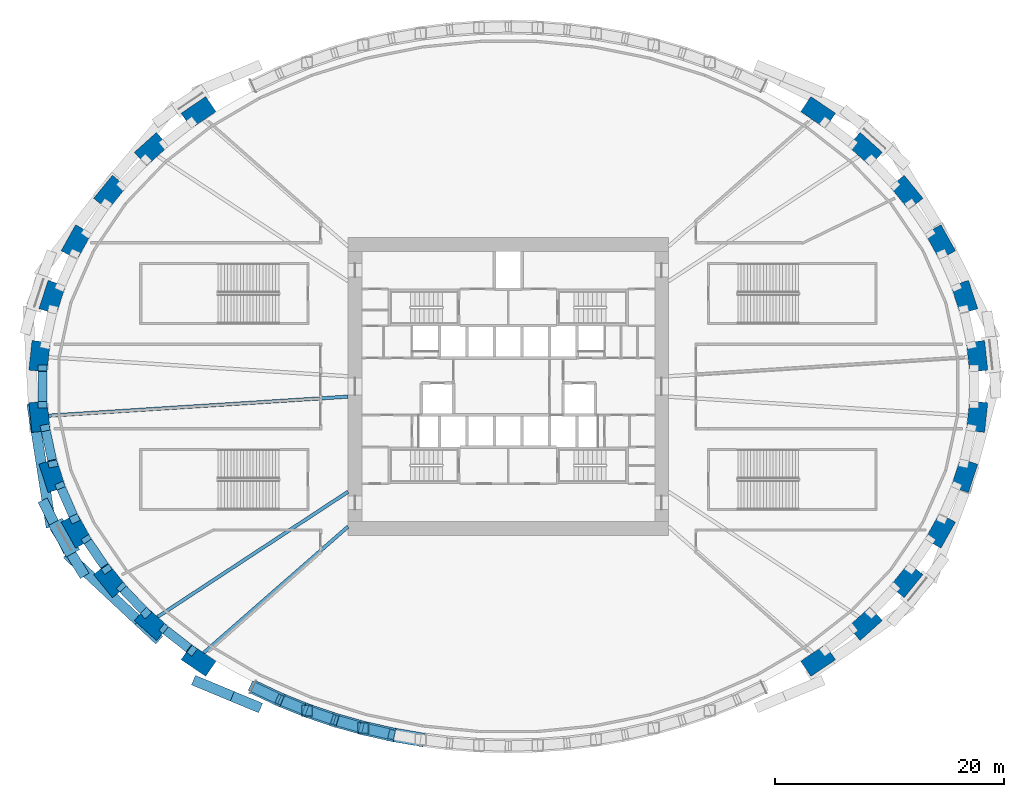
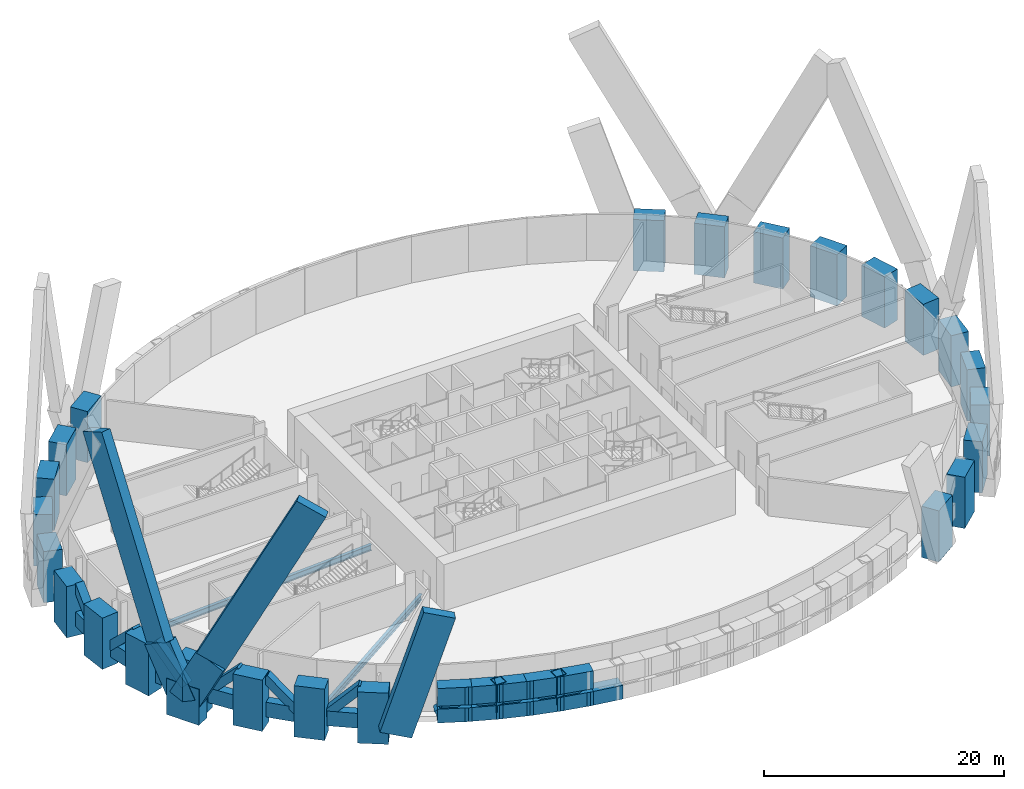
# One storey, part 1 of 16: 30 members, 24 columns, 9 beams.
"""IFC4 building model written with IfcOpenShell, lengths in metres."""

import ifcopenshell
import ifcopenshell.guid

model = None  # the IFC model being written
_history = None  # IfcOwnerHistory: only IFC2X3 demands one
_inside = {}  # id of a spatial element -> (the spatial element, [elements in it])
_under = {}  # id of a project, library or spatial element -> (it, [spatial elements below it])
_declared = {}  # id of a project -> (the project, [libraries it declares])
_typed = {}  # id of a type object -> (the type object, [elements of that type])
_made_of = {}  # id of a material, layer set ... -> (it, [elements and type objects made of it])


def new_model(schema):
    """Start an empty IFC model of exactly this schema.

    Asked for "IFC4X3", IfcOpenShell would pick the latest addendum, in which some entities
    have other attributes; the version numbers below select the first issue.
    IFC2X3 requires an IfcOwnerHistory on every rooted entity: one is made here for all.
    """
    global model, _history
    if schema == "IFC4X3":
        model = ifcopenshell.file(schema_version=(4, 3, 0, 0))
    else:
        model = ifcopenshell.file(schema=schema)
    _inside.clear()
    _under.clear()
    _declared.clear()
    _typed.clear()
    _made_of.clear()
    _history = None
    if model.schema == "IFC2X3":
        org = make("IfcOrganization", Name="unknown")
        user = make(
            "IfcPersonAndOrganization",
            ThePerson=make("IfcPerson", FamilyName="unknown"),
            TheOrganization=org,
        )
        app = make(
            "IfcApplication",
            ApplicationDeveloper=org,
            Version="unknown",
            ApplicationFullName="unknown",
            ApplicationIdentifier="unknown",
        )
        _history = make(
            "IfcOwnerHistory",
            OwningUser=user,
            OwningApplication=app,
            ChangeAction="ADDED",
            CreationDate=0,
        )
    return model


def make(cls, **values):
    """One entity of the class cls with the attributes given. An attribute that is None is left unset."""
    return model.create_entity(
        cls, **{name: value for name, value in values.items() if value is not None}
    )


def rooted(cls, **values):
    """An entity with a GlobalId (a new one), such as an element, a storey or a relation."""
    return make(cls, GlobalId=ifcopenshell.guid.new(), OwnerHistory=_history, **values)


def si_unit(unit_type, name, prefix=None):
    """IfcSIUnit, for example si_unit("LENGTHUNIT", "METRE", prefix="MILLI")."""
    return make("IfcSIUnit", UnitType=unit_type, Prefix=prefix, Name=name)


def assignment(units):
    """IfcUnitAssignment: the units of a project."""
    return None if units is None else make("IfcUnitAssignment", Units=units)


def point(xyz):
    """IfcCartesianPoint."""
    return None if xyz is None else make("IfcCartesianPoint", Coordinates=xyz)


def direction(xyz):
    """IfcDirection."""
    return None if xyz is None else make("IfcDirection", DirectionRatios=xyz)


def frame(location, z_axis=None, x_axis=None):
    """IfcAxis2Placement3D, a coordinate frame: its origin and axes. An axis left out is left unset."""
    return make(
        "IfcAxis2Placement3D",
        Location=point(location),
        Axis=direction(z_axis),
        RefDirection=direction(x_axis),
    )


def frame_2d(location, x_axis=None):
    """IfcAxis2Placement2D, a coordinate frame in the plane: its origin and x axis."""
    return make(
        "IfcAxis2Placement2D", Location=point(location), RefDirection=direction(x_axis)
    )


def origin():
    """The frame at (0, 0, 0) with its axes left unset."""
    return frame((0.0, 0.0, 0.0))


def origin_2d():
    """The frame at (0, 0) in the plane with its x axis left unset."""
    return frame_2d((0.0, 0.0))


def place(relative_to, where):
    """IfcLocalPlacement: puts the frame where relative to a parent placement (None: the world)."""
    return make(
        "IfcLocalPlacement", PlacementRelTo=relative_to, RelativePlacement=where
    )


def context(
    kind, dimensions, precision=None, world=None, true_north=None, identifier=None
):
    """IfcGeometricRepresentationContext, for example the 3D "Model" context."""
    return make(
        "IfcGeometricRepresentationContext",
        ContextIdentifier=identifier,
        ContextType=kind,
        CoordinateSpaceDimension=dimensions,
        Precision=precision,
        WorldCoordinateSystem=world,
        TrueNorth=true_north,
    )


def subcontext(parent, identifier, kind, view, scale=None):
    """IfcGeometricRepresentationSubContext, for example "Body" below "Model"."""
    return make(
        "IfcGeometricRepresentationSubContext",
        ContextIdentifier=identifier,
        ContextType=kind,
        ParentContext=parent,
        TargetScale=scale,
        TargetView=view,
    )


def project(units=None, contexts=None):
    """IfcProject with its units and contexts."""
    return rooted(
        "IfcProject",
        Name="project",
        RepresentationContexts=contexts,
        UnitsInContext=assignment(units),
    )


def spatial(cls, under=None, at=None, **own):
    """A site, building, storey or space (cls), placed at a placement, below another one or the project."""
    s = rooted(cls, ObjectPlacement=at, **own)
    if under is not None:
        _under.setdefault(under.id(), (under, []))[1].append(s)
    return s


def profile(cls, at=None, kind="AREA", **sizes):
    """A parametric profile (cls). Its sizes go by their IFC names, for example OverallWidth=200.0."""
    return make(cls, ProfileType=kind, Position=at, **sizes)


def rectangle(**sizes):
    """IfcRectangleProfileDef."""
    return profile("IfcRectangleProfileDef", **sizes)


def hollow_rectangle(**sizes):
    """IfcRectangleHollowProfileDef."""
    return profile("IfcRectangleHollowProfileDef", **sizes)


def i_section(**sizes):
    """IfcIShapeProfileDef."""
    return profile("IfcIShapeProfileDef", **sizes)


def extrude(swept, where, along, depth):
    """IfcExtrudedAreaSolid: the profile swept, set in the frame where, extruded along a direction by depth."""
    return make(
        "IfcExtrudedAreaSolid",
        SweptArea=swept,
        Position=where,
        ExtrudedDirection=direction(along),
        Depth=depth,
    )


def shape(context_of_items, identifier, shape_type, items):
    """IfcShapeRepresentation: the items that make up one representation, for example the "Body"."""
    return make(
        "IfcShapeRepresentation",
        ContextOfItems=context_of_items,
        RepresentationIdentifier=identifier,
        RepresentationType=shape_type,
        Items=items,
    )


def source(mapping_origin, context_of_items, identifier, shape_type, items):
    """IfcRepresentationMap: a shape defined once, which mapped items show again and again."""
    return make(
        "IfcRepresentationMap",
        MappingOrigin=mapping_origin,
        MappedRepresentation=shape(context_of_items, identifier, shape_type, items),
    )


def transform(
    local_origin,
    x_axis=None,
    y_axis=None,
    z_axis=None,
    scale=None,
    scale2=None,
    scale3=None,
    uniform=True,
):
    """IfcCartesianTransformationOperator3D, or its non-uniform kind. x_axis, y_axis, z_axis: its Axis1, 2, 3."""
    if uniform:
        return make(
            "IfcCartesianTransformationOperator3D",
            Axis1=direction(x_axis),
            Axis2=direction(y_axis),
            LocalOrigin=point(local_origin),
            Scale=scale,
            Axis3=direction(z_axis),
        )
    return make(
        "IfcCartesianTransformationOperator3DnonUniform",
        Axis1=direction(x_axis),
        Axis2=direction(y_axis),
        LocalOrigin=point(local_origin),
        Scale=scale,
        Axis3=direction(z_axis),
        Scale2=scale2,
        Scale3=scale3,
    )


def mapped(mapping_source, mapping_target):
    """IfcMappedItem: shows the shape of a source again, moved by a transform."""
    return make(
        "IfcMappedItem", MappingSource=mapping_source, MappingTarget=mapping_target
    )


def material(Name=None, Category=None):
    """IfcMaterial."""
    return make("IfcMaterial", Name=Name, Category=Category)


def material_profile(
    of_material, cross_section, Name=None, Category=None, Priority=None
):
    """IfcMaterialProfile: a cross section and its material."""
    return make(
        "IfcMaterialProfile",
        Name=Name,
        Material=of_material,
        Profile=cross_section,
        Priority=Priority,
        Category=Category,
    )


def profile_set(profiles, Name=None, composite=None):
    """IfcMaterialProfileSet."""
    return make(
        "IfcMaterialProfileSet",
        Name=Name,
        MaterialProfiles=profiles,
        CompositeProfile=composite,
    )


def made_of(thing, what):
    """Note that an element or type object is made of a material, layer set ...; save() writes the relation."""
    if what is not None:
        _made_of.setdefault(what.id(), (what, []))[1].append(thing)
    return thing


def type_object(cls, material=None, **own):
    """A type object (cls), such as IfcWallType, which elements share."""
    return made_of(rooted(cls, **own), material)


def element(
    cls,
    number,
    at=None,
    inside=None,
    cuts=None,
    type_object=None,
    material=None,
    context=None,
    identifier="Body",
    shape_type=None,
    held_by="IfcProductDefinitionShape",
    body=None,
    shapes=None,
    **own,
):
    """One element of the class cls, such as IfcWall. Its Tag is "e" and its number.

    at: its placement. inside: the storey or other place that contains it. cuts: it is an
    opening in that element (IfcRelVoidsElement). A single representation is given by context,
    identifier, shape_type and body (its items); several are given by shapes. held_by: the class
    of the entity that holds the representations. save() writes the other relations.
    """
    e = rooted(cls, Tag="e%d" % number, ObjectPlacement=at, **own)
    if body is not None:
        shapes = [shape(context, identifier, shape_type, body)]
    if shapes is not None:
        e.Representation = make(held_by, Representations=shapes)
    if inside is not None:
        _inside.setdefault(inside.id(), (inside, []))[1].append(e)
    if cuts is not None:
        rooted(
            "IfcRelVoidsElement", RelatingBuildingElement=cuts, RelatedOpeningElement=e
        )
    if type_object is not None:
        _typed.setdefault(type_object.id(), (type_object, []))[1].append(e)
    return made_of(e, material)


def aggregate(whole, parts):
    """IfcRelAggregates: a whole, such as a stair, and the parts it consists of."""
    return rooted("IfcRelAggregates", RelatingObject=whole, RelatedObjects=parts)


def save(model, path):
    """Write the relations noted so far, then the file.

    IfcRelAggregates (storeys below a building ...), IfcRelContainedInSpatialStructure (elements
    in a storey), IfcRelDefinesByType, IfcRelAssociatesMaterial and IfcRelDeclares: one each for
    every whole, place, type object, material and project.
    """
    for whole, parts in _under.values():
        aggregate(whole, parts)
    for where, things in _inside.values():
        rooted(
            "IfcRelContainedInSpatialStructure",
            RelatedElements=things,
            RelatingStructure=where,
        )
    for kind, things in _typed.values():
        rooted("IfcRelDefinesByType", RelatedObjects=things, RelatingType=kind)
    for what, things in _made_of.values():
        rooted("IfcRelAssociatesMaterial", RelatedObjects=things, RelatingMaterial=what)
    for by, libraries in _declared.values():
        rooted("IfcRelDeclares", RelatingContext=by, RelatedDefinitions=libraries)
    model.write(path)


model = new_model("IFC4")

# Units and contexts
model_context = context("Model", 3, precision=1e-05, world=origin(), true_north=direction((0.0, 1.0)))
body_context = subcontext(model_context, "Body", "Model", "MODEL_VIEW")
ifc_project = project(units=[si_unit("LENGTHUNIT", "METRE"), si_unit("AREAUNIT", "SQUARE_METRE"), si_unit("VOLUMEUNIT", "CUBIC_METRE"), si_unit("PLANEANGLEUNIT", "RADIAN"), si_unit("MASSUNIT", "GRAM", prefix="KILO")], contexts=[model_context])

# Site, building, storey
site_placement = place(None, origin())
site = spatial("IfcSite", under=ifc_project, at=site_placement, CompositionType="ELEMENT")
building_placement = place(site_placement, origin())
building = spatial("IfcBuilding", under=site, at=building_placement, Name="Embergate Tower", CompositionType="ELEMENT")
storey_placement = place(building_placement, frame((0.0, 0.0, 24.0)))
storey = spatial("IfcBuildingStorey", under=building, at=storey_placement, Name="L02", CompositionType="ELEMENT", Elevation=24.0)

# Columns
ifc_material_1 = material(Name="Concrete C70", Category="concrete")
ifc_material_profile_1 = material_profile(ifc_material_1, rectangle(XDim=1.60009765625, YDim=2.60009765625, at=origin_2d()), Name="RC 1600x2600")
ifc_profile_set_1 = profile_set([ifc_material_profile_1], Name="Concrete C70")
column_type = type_object("IfcColumnType", Name="Ring column RC 1600x2600 C70", PredefinedType="COLUMN", material=ifc_profile_set_1)
shared_shape_1 = source(origin(), body_context, "Body", "SweptSolid", [
    extrude(rectangle(XDim=1.60009765625, YDim=2.60009765625, at=origin_2d()), origin(), (0.0, 0.0, 1.0), 5.199951171875),
])
for number, where, z_axis, x_axis, name in (
    (1, (40.958984375, 2.636962890625, -1.699951171875), (0.0, 0.0, 1.0), (0.99428589498, 0.106749983816, 0.0), "COL-L02-00"),
    (2, (39.85009765625, 7.7880859375, -1.699951171875), (0.0, 0.0, 1.0), (0.950754033697, 0.309946394413, 0.0), "COL-L02-01"),
    (3, (37.738037109375, 12.60498046875, -1.699951171875), (0.0, 0.0, 1.0), (0.873491969053, 0.486838556403, 0.0), "COL-L02-02"),
    (4, (34.7890625, 16.94189453125, -1.699951171875), (0.0, 0.0, 1.0), (0.775925311702, 0.630824786022, 0.0), "COL-L02-03"),
    (5, (31.178955078125, 20.72802734375, -1.699951171875), (0.0, 0.0, 1.0), (0.669208424634, 0.74307475021, 0.0), "COL-L02-04"),
    (6, (27.06494140625, 23.93896484375, -1.699951171875), (0.0, 0.0, 1.0), (0.560393279442, 0.828226643109, 0.0), "COL-L02-05"),
    (7, (-27.06494140625, 23.93896484375, -1.699951171875), (0.0, 0.0, 1.0), (-0.560393279442, 0.828226643109, 0.0), "COL-L02-16"),
    (8, (-31.178955078125, 20.72802734375, -1.699951171875), (0.0, 0.0, 1.0), (-0.669208424634, 0.74307475021, 0.0), "COL-L02-17"),
    (9, (-34.7890625, 16.94189453125, -1.699951171875), (0.0, 0.0, 1.0), (-0.775925311702, 0.630824786022, 0.0), "COL-L02-18"),
    (10, (-37.738037109375, 12.60498046875, -1.699951171875), (0.0, 0.0, 1.0), (-0.873491969053, 0.486838556403, 0.0), "COL-L02-19"),
    (11, (-39.85009765625, 7.7880859375, -1.699951171875), (0.0, 0.0, 1.0), (-0.950754033697, 0.309946394413, 0.0), "COL-L02-20"),
    (12, (-40.958984375, 2.636962890625, -1.699951171875), (0.0, 0.0, 1.0), (-0.99428589498, 0.106749983816, 0.0), "COL-L02-21"),
    (13, (-40.958984375, -2.636962890625, -1.699951171875), (0.0, 0.0, 1.0), (-0.99428589498, -0.106749983816, 0.0), "COL-L02-22"),
    (14, (-39.85009765625, -7.7880859375, -1.699951171875), (0.0, 0.0, 1.0), (-0.950754033697, -0.309946394413, 0.0), "COL-L02-23"),
    (15, (-37.738037109375, -12.60498046875, -1.699951171875), (0.0, 0.0, 1.0), (-0.873491969053, -0.486838556403, 0.0), "COL-L02-24"),
    (16, (-34.7890625, -16.94189453125, -1.699951171875), (0.0, 0.0, 1.0), (-0.775925311702, -0.630824786022, 0.0), "COL-L02-25"),
    (17, (-31.178955078125, -20.72802734375, -1.699951171875), (0.0, 0.0, 1.0), (-0.669208424634, -0.74307475021, 0.0), "COL-L02-26"),
    (18, (-27.06494140625, -23.93896484375, -1.699951171875), (0.0, 0.0, 1.0), (-0.560393279442, -0.828226643109, 0.0), "COL-L02-27"),
    (19, (27.06494140625, -23.93896484375, -1.699951171875), (0.0, 0.0, 1.0), (0.560393279442, -0.828226643109, 0.0), "COL-L02-38"),
    (20, (31.178955078125, -20.72802734375, -1.699951171875), (0.0, 0.0, 1.0), (0.669208424634, -0.74307475021, 0.0), "COL-L02-39"),
    (21, (34.7890625, -16.94189453125, -1.699951171875), (0.0, 0.0, 1.0), (0.775925311702, -0.630824786022, 0.0), "COL-L02-40"),
    (22, (37.738037109375, -12.60498046875, -1.699951171875), (0.0, 0.0, 1.0), (0.873491969053, -0.486838556403, 0.0), "COL-L02-41"),
    (23, (39.85009765625, -7.7880859375, -1.699951171875), (0.0, 0.0, 1.0), (0.950754033697, -0.309946394413, 0.0), "COL-L02-42"),
    (24, (40.958984375, -2.636962890625, -1.699951171875), (0.0, 0.0, 1.0), (0.99428589498, -0.106749983816, 0.0), "COL-L02-43"),
):
    element("IfcColumn", number, at=place(storey_placement, frame(where, z_axis=z_axis, x_axis=x_axis)), inside=storey, type_object=column_type, Name=name, PredefinedType="COLUMN", context=body_context, shape_type="MappedRepresentation", body=[
        mapped(shared_shape_1, transform((0.0, 0.0, 0.0))),
    ])

# Beams
ifc_material_profile_2 = material_profile(ifc_material_1, rectangle(XDim=0.800048828125, YDim=1.5, at=origin_2d()), Name="RC 800x1500")
ifc_profile_set_2 = profile_set([ifc_material_profile_2], Name="Concrete C70")
beam_type_1 = type_object("IfcBeamType", Name="Spandrel beam RC 800x1500 C70", PredefinedType="BEAM", material=ifc_profile_set_2)
shared_shape_2 = source(origin(), body_context, "Body", "SweptSolid", [
    extrude(rectangle(XDim=0.800048828125, YDim=1.5, at=origin_2d()), origin(), (0.0, 0.0, 1.0), 2.59716796875),
])
beam_1_placement = place(storey_placement, frame((-40.407958984375, -3.885009765625, 0.0), z_axis=(0.210196709523, -0.977659114061, 0.0), x_axis=(0.977659114061, 0.210196709523, 0.0)))
element("IfcBeam", 25, at=beam_1_placement, inside=storey, type_object=beam_type_1, Name="SPN-L02-22", PredefinedType="BEAM", context=body_context, shape_type="MappedRepresentation", body=[
    mapped(shared_shape_2, transform((0.0, 0.0, 0.0))),
])
shared_shape_3 = source(origin(), body_context, "Body", "SweptSolid", [
    extrude(rectangle(XDim=0.800048828125, YDim=1.5, at=origin_2d()), origin(), (0.0, 0.0, 1.0), 2.594482421875),
])
beam_2_placement = place(storey_placement, frame((-39.06201171875, -8.89794921875, 0.0), z_axis=(0.401628265127, -0.915802782618, 0.0), x_axis=(0.915802782618, 0.401628265127, 0.0)))
element("IfcBeam", 26, at=beam_2_placement, inside=storey, type_object=beam_type_1, Name="SPN-L02-23", PredefinedType="BEAM", context=body_context, shape_type="MappedRepresentation", body=[
    mapped(shared_shape_3, transform((0.0, 0.0, 0.0))),
])
shared_shape_4 = source(origin(), body_context, "Body", "SweptSolid", [
    extrude(rectangle(XDim=0.800048828125, YDim=1.5, at=origin_2d()), origin(), (0.0, 0.0, 1.0), 2.583251953125),
])
beam_3_placement = place(storey_placement, frame((-36.743896484375, -13.5390625, 0.0), z_axis=(0.562418587306, -0.826852666836, 0.0), x_axis=(0.826852666836, 0.562418587306, 0.0)))
element("IfcBeam", 27, at=beam_3_placement, inside=storey, type_object=beam_type_1, Name="SPN-L02-24", PredefinedType="BEAM", context=body_context, shape_type="MappedRepresentation", body=[
    mapped(shared_shape_4, transform((0.0, 0.0, 0.0))),
])
shared_shape_5 = source(origin(), body_context, "Body", "SweptSolid", [
    extrude(rectangle(XDim=0.800048828125, YDim=1.5, at=origin_2d()), origin(), (0.0, 0.0, 1.0), 2.577392578125),
])
beam_4_placement = place(storey_placement, frame((-33.656982421875, -17.697021484375, 0.0), z_axis=(0.68985145899, -0.723950940692, 0.0), x_axis=(0.723950940692, 0.68985145899, 0.0)))
element("IfcBeam", 28, at=beam_4_placement, inside=storey, type_object=beam_type_1, Name="SPN-L02-25", PredefinedType="BEAM", context=body_context, shape_type="MappedRepresentation", body=[
    mapped(shared_shape_5, transform((0.0, 0.0, 0.0))),
])
shared_shape_6 = source(origin(), body_context, "Body", "SweptSolid", [
    extrude(rectangle(XDim=0.800048828125, YDim=1.5, at=origin_2d()), origin(), (0.0, 0.0, 1.0), 2.568359375),
])
beam_5_placement = place(storey_placement, frame((-29.93798828125, -21.29296875, 0.0), z_axis=(0.788378750505, -0.615190170396, 0.0), x_axis=(0.615190170396, 0.788378750505, 0.0)))
element("IfcBeam", 29, at=beam_5_placement, inside=storey, type_object=beam_type_1, Name="SPN-L02-26", PredefinedType="BEAM", context=body_context, shape_type="MappedRepresentation", body=[
    mapped(shared_shape_6, transform((0.0, 0.0, 0.0))),
])
shared_shape_7 = source(origin(), body_context, "Body", "SweptSolid", [
    extrude(rectangle(XDim=0.800048828125, YDim=1.5, at=origin_2d()), origin(), (0.0, 0.0, 1.0), 2.60400390625),
])
beam_6_placement = place(storey_placement, frame((-40.7041015625, 1.302001953125, 0.0), z_axis=(0.0, -1.0, 0.0), x_axis=(1.0, 0.0, 0.0)))
element("IfcBeam", 30, at=beam_6_placement, inside=storey, type_object=beam_type_1, Name="SPN-L02-21", PredefinedType="BEAM", context=body_context, shape_type="MappedRepresentation", body=[
    mapped(shared_shape_7, transform((0.0, 0.0, 0.0))),
])
ifc_material_2 = material(Name="Steel Q355B", Category="steel")
ifc_material_profile_3 = material_profile(ifc_material_2, i_section(OverallWidth=0.300048828125, OverallDepth=0.587890625, WebThickness=0.011962890625, FlangeThickness=0.02001953125, FilletRadius=0.012939453125, at=origin_2d()), Name="HM 588x300x12x20")
ifc_profile_set_3 = profile_set([ifc_material_profile_3], Name="Steel Q355 grade B")
beam_type_2 = type_object("IfcBeamType", Name="Plant girder HM 588x300x12x20", PredefinedType="BEAM", material=ifc_profile_set_3)
shared_shape_8 = source(origin(), body_context, "Body", "SweptSolid", [
    extrude(i_section(OverallWidth=0.300048828125, OverallDepth=0.587890625, WebThickness=0.011962890625, FlangeThickness=0.02001953125, FilletRadius=0.012939453125, at=origin_2d()), origin(), (0.0, 0.0, 1.0), 26.216796875),
])
beam_7_placement = place(storey_placement, frame((-40.1640625, -2.552001953125, -0.7939453125), z_axis=(0.997985925942, 0.063435728273, 0.0), x_axis=(-0.063435728273, 0.997985925942, 0.0)))
element("IfcBeam", 31, at=beam_7_placement, inside=storey, type_object=beam_type_2, Name="GIR-L02-22", PredefinedType="BEAM", context=body_context, shape_type="MappedRepresentation", body=[
    mapped(shared_shape_8, transform((0.0, 0.0, 0.0))),
])
shared_shape_9 = source(origin(), body_context, "Body", "SweptSolid", [
    extrude(i_section(OverallWidth=0.300048828125, OverallDepth=0.587890625, WebThickness=0.011962890625, FlangeThickness=0.02001953125, FilletRadius=0.012939453125, at=origin_2d()), origin(), (0.0, 0.0, 1.0), 19.915283203125),
])
beam_8_placement = place(storey_placement, frame((-30.64404296875, -20.134033203125, -0.7939453125), z_axis=(0.835739557049, 0.549126026322, 0.0), x_axis=(-0.549126026322, 0.835739557049, 0.0)))
element("IfcBeam", 32, at=beam_8_placement, inside=storey, type_object=beam_type_2, Name="GIR-L02-26", PredefinedType="BEAM", context=body_context, shape_type="MappedRepresentation", body=[
    mapped(shared_shape_9, transform((0.0, 0.0, 0.0))),
])
ifc_material_profile_4 = material_profile(ifc_material_2, i_section(OverallWidth=0.300048828125, OverallDepth=0.89990234375, WebThickness=0.01611328125, FlangeThickness=0.028076171875, FilletRadius=0.028076171875, at=origin_2d()), Name="HN 900x300x16x28")
ifc_profile_set_4 = profile_set([ifc_material_profile_4], Name="Steel Q355 grade B")
beam_type_3 = type_object("IfcBeamType", Name="Plant girder HN 900x300x16x28", PredefinedType="BEAM", material=ifc_profile_set_4)
shared_shape_10 = source(origin(), body_context, "Body", "SweptSolid", [
    extrude(i_section(OverallWidth=0.300048828125, OverallDepth=0.89990234375, WebThickness=0.01611328125, FlangeThickness=0.028076171875, FilletRadius=0.028076171875, at=origin_2d()), origin(), (0.0, 0.0, 1.0), 16.760498046875),
])
beam_9_placement = place(storey_placement, frame((-26.616943359375, -23.27587890625, -0.949951171875), z_axis=(0.752779686922, 0.658272544587, 0.0), x_axis=(-0.658272544587, 0.752779686922, 0.0)))
element("IfcBeam", 33, at=beam_9_placement, inside=storey, type_object=beam_type_3, Name="GIR-L02-27", PredefinedType="BEAM", context=body_context, shape_type="MappedRepresentation", body=[
    mapped(shared_shape_10, transform((0.0, 0.0, 0.0))),
])

# Members
ifc_material_3 = material(Name="Steel Q420GJD-Z25", Category="steel")
ifc_material_profile_5 = material_profile(ifc_material_3, hollow_rectangle(XDim=1.199951171875, YDim=1.39990234375, WallThickness=0.080078125, at=origin_2d()), Name="BOX 1400x1200x80")
ifc_profile_set_5 = profile_set([ifc_material_profile_5], Name="Steel Q420 grade GJD-Z25")
member_type_1 = type_object("IfcMemberType", Name="Transfer truss bottom chord BOX 1400x1200x80", PredefinedType="CHORD", material=ifc_profile_set_5)
shared_shape_11 = source(origin(), body_context, "Body", "SweptSolid", [
    extrude(hollow_rectangle(XDim=1.199951171875, YDim=1.39990234375, WallThickness=0.080078125, at=origin_2d()), origin(), (0.0, 0.0, 1.0), 2.85400390625),
])
member_1_placement = place(storey_placement, frame((-22.297119140625, -26.256103515625, 0.699951171875), z_axis=(0.904358715967, -0.426773139799, 0.0), x_axis=(0.426773139799, 0.904358715967, 0.0)))
element("IfcMember", 34, at=member_1_placement, inside=storey, type_object=member_type_1, Name="TRF-S-BC00", PredefinedType="CHORD", context=body_context, shape_type="MappedRepresentation", body=[
    mapped(shared_shape_11, transform((0.0, 0.0, 0.0))),
])
ifc_material_profile_6 = material_profile(ifc_material_3, hollow_rectangle(XDim=1.199951171875, YDim=1.800048828125, WallThickness=0.090087890625, at=origin_2d()), Name="BOX 1800x1200x90")
ifc_profile_set_6 = profile_set([ifc_material_profile_6], Name="Steel Q420 grade GJD-Z25")
member_type_2 = type_object("IfcMemberType", Name="Transfer truss top chord BOX 1800x1200x90", PredefinedType="CHORD", material=ifc_profile_set_6)
shared_shape_12 = source(origin(), body_context, "Body", "SweptSolid", [
    extrude(hollow_rectangle(XDim=1.199951171875, YDim=1.800048828125, WallThickness=0.090087890625, at=origin_2d()), origin(), (0.0, 0.0, 1.0), 2.85400390625),
])
member_2_placement = place(storey_placement, frame((-22.297119140625, -26.256103515625, 2.60009765625), z_axis=(0.904358715967, -0.426773139799, 0.0), x_axis=(0.426773139799, 0.904358715967, 0.0)))
element("IfcMember", 35, at=member_2_placement, inside=storey, type_object=member_type_2, Name="TRF-S-TC00", PredefinedType="CHORD", context=body_context, shape_type="MappedRepresentation", body=[
    mapped(shared_shape_12, transform((0.0, 0.0, 0.0))),
])
shared_shape_13 = source(origin(), body_context, "Body", "SweptSolid", [
    extrude(hollow_rectangle(XDim=1.199951171875, YDim=1.39990234375, WallThickness=0.080078125, at=origin_2d()), origin(), (0.0, 0.0, 1.0), 3.184814453125),
])
member_3_placement = place(storey_placement, frame((-20.264892578125, -27.23388671875, 0.699951171875), z_axis=(0.927175792195, -0.374626547868, 0.0), x_axis=(0.374626547868, 0.927175792195, 0.0)))
element("IfcMember", 36, at=member_3_placement, inside=storey, type_object=member_type_1, Name="TRF-S-BC01", PredefinedType="CHORD", context=body_context, shape_type="MappedRepresentation", body=[
    mapped(shared_shape_13, transform((0.0, 0.0, 0.0))),
])
shared_shape_14 = source(origin(), body_context, "Body", "SweptSolid", [
    extrude(hollow_rectangle(XDim=1.199951171875, YDim=1.800048828125, WallThickness=0.090087890625, at=origin_2d()), origin(), (0.0, 0.0, 1.0), 3.184814453125),
])
member_4_placement = place(storey_placement, frame((-20.264892578125, -27.23388671875, 2.60009765625), z_axis=(0.927175792195, -0.374626547868, 0.0), x_axis=(0.374626547868, 0.927175792195, 0.0)))
element("IfcMember", 37, at=member_4_placement, inside=storey, type_object=member_type_2, Name="TRF-S-TC01", PredefinedType="CHORD", context=body_context, shape_type="MappedRepresentation", body=[
    mapped(shared_shape_14, transform((0.0, 0.0, 0.0))),
])
shared_shape_15 = source(origin(), body_context, "Body", "SweptSolid", [
    extrude(hollow_rectangle(XDim=1.199951171875, YDim=1.39990234375, WallThickness=0.080078125, at=origin_2d()), origin(), (0.0, 0.0, 1.0), 3.15478515625),
])
member_5_placement = place(storey_placement, frame((-17.8740234375, -28.218017578125, 0.699951171875), z_axis=(0.946502130623, -0.322697562317, 0.0), x_axis=(0.322697562317, 0.946502130623, 0.0)))
element("IfcMember", 38, at=member_5_placement, inside=storey, type_object=member_type_1, Name="TRF-S-BC02", PredefinedType="CHORD", context=body_context, shape_type="MappedRepresentation", body=[
    mapped(shared_shape_15, transform((0.0, 0.0, 0.0))),
])
shared_shape_16 = source(origin(), body_context, "Body", "SweptSolid", [
    extrude(hollow_rectangle(XDim=1.199951171875, YDim=1.800048828125, WallThickness=0.090087890625, at=origin_2d()), origin(), (0.0, 0.0, 1.0), 3.15478515625),
])
member_6_placement = place(storey_placement, frame((-17.8740234375, -28.218017578125, 2.60009765625), z_axis=(0.946502130623, -0.322697562317, 0.0), x_axis=(0.322697562317, 0.946502130623, 0.0)))
element("IfcMember", 39, at=member_6_placement, inside=storey, type_object=member_type_2, Name="TRF-S-TC02", PredefinedType="CHORD", context=body_context, shape_type="MappedRepresentation", body=[
    mapped(shared_shape_16, transform((0.0, 0.0, 0.0))),
])
shared_shape_17 = source(origin(), body_context, "Body", "SweptSolid", [
    extrude(hollow_rectangle(XDim=1.199951171875, YDim=1.39990234375, WallThickness=0.080078125, at=origin_2d()), origin(), (0.0, 0.0, 1.0), 3.17919921875),
])
member_7_placement = place(storey_placement, frame((-15.4609375, -29.056884765625, 0.699951171875), z_axis=(0.962164650456, -0.272468687032, 0.0), x_axis=(0.272468687032, 0.962164650456, 0.0)))
element("IfcMember", 40, at=member_7_placement, inside=storey, type_object=member_type_1, Name="TRF-S-BC03", PredefinedType="CHORD", context=body_context, shape_type="MappedRepresentation", body=[
    mapped(shared_shape_17, transform((0.0, 0.0, 0.0))),
])
shared_shape_18 = source(origin(), body_context, "Body", "SweptSolid", [
    extrude(hollow_rectangle(XDim=1.199951171875, YDim=1.800048828125, WallThickness=0.090087890625, at=origin_2d()), origin(), (0.0, 0.0, 1.0), 3.17919921875),
])
member_8_placement = place(storey_placement, frame((-15.4609375, -29.056884765625, 2.60009765625), z_axis=(0.962164650456, -0.272468687032, 0.0), x_axis=(0.272468687032, 0.962164650456, 0.0)))
element("IfcMember", 41, at=member_8_placement, inside=storey, type_object=member_type_2, Name="TRF-S-TC03", PredefinedType="CHORD", context=body_context, shape_type="MappedRepresentation", body=[
    mapped(shared_shape_18, transform((0.0, 0.0, 0.0))),
])
shared_shape_19 = source(origin(), body_context, "Body", "SweptSolid", [
    extrude(hollow_rectangle(XDim=1.199951171875, YDim=1.39990234375, WallThickness=0.080078125, at=origin_2d()), origin(), (0.0, 0.0, 1.0), 3.156982421875),
])
member_9_placement = place(storey_placement, frame((-12.98388671875, -29.77490234375, 0.699951171875), z_axis=(0.975251981283, -0.221096298033, 0.0), x_axis=(0.221096298033, 0.975251981283, 0.0)))
element("IfcMember", 42, at=member_9_placement, inside=storey, type_object=member_type_1, Name="TRF-S-BC04", PredefinedType="CHORD", context=body_context, shape_type="MappedRepresentation", body=[
    mapped(shared_shape_19, transform((0.0, 0.0, 0.0))),
])
shared_shape_20 = source(origin(), body_context, "Body", "SweptSolid", [
    extrude(hollow_rectangle(XDim=1.199951171875, YDim=1.800048828125, WallThickness=0.090087890625, at=origin_2d()), origin(), (0.0, 0.0, 1.0), 3.156982421875),
])
member_10_placement = place(storey_placement, frame((-12.98388671875, -29.77490234375, 2.60009765625), z_axis=(0.975251981283, -0.221096298033, 0.0), x_axis=(0.221096298033, 0.975251981283, 0.0)))
element("IfcMember", 43, at=member_10_placement, inside=storey, type_object=member_type_2, Name="TRF-S-TC04", PredefinedType="CHORD", context=body_context, shape_type="MappedRepresentation", body=[
    mapped(shared_shape_20, transform((0.0, 0.0, 0.0))),
])
shared_shape_21 = source(origin(), body_context, "Body", "SweptSolid", [
    extrude(hollow_rectangle(XDim=1.199951171875, YDim=1.39990234375, WallThickness=0.080078125, at=origin_2d()), origin(), (0.0, 0.0, 1.0), 3.17431640625),
])
member_11_placement = place(storey_placement, frame((-10.493896484375, -30.35498046875, 0.699951171875), z_axis=(0.985100907682, -0.17197732898, 0.0), x_axis=(0.17197732898, 0.985100907682, 0.0)))
element("IfcMember", 44, at=member_11_placement, inside=storey, type_object=member_type_1, Name="TRF-S-BC05", PredefinedType="CHORD", context=body_context, shape_type="MappedRepresentation", body=[
    mapped(shared_shape_21, transform((0.0, 0.0, 0.0))),
])
ifc_material_4 = material(Name="Steel Q355D", Category="steel")
ifc_material_profile_7 = material_profile(ifc_material_4, hollow_rectangle(XDim=1.0, YDim=1.0, WallThickness=0.06005859375, at=origin_2d()), Name="BOX 1000x1000x60")
ifc_profile_set_7 = profile_set([ifc_material_profile_7], Name="Steel Q355 grade D")
member_type_3 = type_object("IfcMemberType", Name="Transfer truss post BOX 1000x1000x60", PredefinedType="POST", material=ifc_profile_set_7)
shared_shape_22 = source(origin(), body_context, "Body", "SweptSolid", [
    extrude(hollow_rectangle(XDim=1.0, YDim=1.0, WallThickness=0.06005859375, at=origin_2d()), origin(), (0.0, 0.0, 1.0), 2.800048828125),
])
for number, where, z_axis, x_axis, name in (
    (45, (-17.590087890625, -28.31494140625, 0.699951171875), (0.0, 0.0, 1.0), (1.0, 0.0, 0.0), "TRF-S-PO02"),
    (46, (-12.69091796875, -29.841064453125, 0.699951171875), (0.0, 0.0, 1.0), (1.0, 0.0, 0.0), "TRF-S-PO04"),
):
    element("IfcMember", number, at=place(storey_placement, frame(where, z_axis=z_axis, x_axis=x_axis)), inside=storey, type_object=member_type_3, Name=name, PredefinedType="POST", context=body_context, shape_type="MappedRepresentation", body=[
        mapped(shared_shape_22, transform((0.0, 0.0, 0.0))),
    ])
ifc_material_profile_8 = material_profile(ifc_material_4, hollow_rectangle(XDim=0.89990234375, YDim=0.89990234375, WallThickness=0.050048828125, at=origin_2d()), Name="BOX 900x900x50")
ifc_profile_set_8 = profile_set([ifc_material_profile_8], Name="Steel Q355 grade D")
member_type_4 = type_object("IfcMemberType", Name="Transfer truss diagonal BOX 900x900x50", PredefinedType="BRACE", material=ifc_profile_set_8)
shared_shape_23 = source(origin(), body_context, "Body", "SweptSolid", [
    extrude(hollow_rectangle(XDim=0.89990234375, YDim=0.89990234375, WallThickness=0.050048828125, at=origin_2d()), origin(), (0.0, 0.0, 1.0), 3.18359375),
])
member_12_placement = place(storey_placement, frame((-22.297119140625, -26.256103515625, 0.699951171875), z_axis=(0.725634345581, -0.342341124358, 0.596872977347), x_axis=(0.4266806336, 0.904402364499, 0.0)))
element("IfcMember", 47, at=member_12_placement, inside=storey, type_object=member_type_4, Name="TRF-S-DG00", PredefinedType="BRACE", context=body_context, shape_type="MappedRepresentation", body=[
    mapped(shared_shape_23, transform((0.0, 0.0, 0.0))),
])
shared_shape_24 = source(origin(), body_context, "Body", "SweptSolid", [
    extrude(hollow_rectangle(XDim=0.89990234375, YDim=0.89990234375, WallThickness=0.050048828125, at=origin_2d()), origin(), (0.0, 0.0, 1.0), 3.20849609375),
])
member_13_placement = place(storey_placement, frame((-19.987060546875, -27.345947265625, 2.60009765625), z_axis=(0.747050975398, -0.302000949415, -0.592207959006), x_axis=(0.374790902419, 0.927109367585, 0.0)))
element("IfcMember", 48, at=member_13_placement, inside=storey, type_object=member_type_4, Name="TRF-S-DG01", PredefinedType="BRACE", context=body_context, shape_type="MappedRepresentation", body=[
    mapped(shared_shape_24, transform((0.0, 0.0, 0.0))),
])
shared_shape_25 = source(origin(), body_context, "Body", "SweptSolid", [
    extrude(hollow_rectangle(XDim=0.89990234375, YDim=0.89990234375, WallThickness=0.050048828125, at=origin_2d()), origin(), (0.0, 0.0, 1.0), 3.183837890625),
])
member_14_placement = place(storey_placement, frame((-17.590087890625, -28.31494140625, 0.699951171875), z_axis=(0.759479434261, -0.258808874256, 0.596832435062), x_axis=(0.322557168561, 0.946549984422, 0.0)))
element("IfcMember", 49, at=member_14_placement, inside=storey, type_object=member_type_4, Name="TRF-S-DG02", PredefinedType="BRACE", context=body_context, shape_type="MappedRepresentation", body=[
    mapped(shared_shape_25, transform((0.0, 0.0, 0.0))),
])
shared_shape_26 = source(origin(), body_context, "Body", "SweptSolid", [
    extrude(hollow_rectangle(XDim=0.89990234375, YDim=0.89990234375, WallThickness=0.050048828125, at=origin_2d()), origin(), (0.0, 0.0, 1.0), 3.203125),
])
member_15_placement = place(storey_placement, frame((-15.172119140625, -29.138916015625, 2.60009765625), z_axis=(0.774621976013, -0.219208186856, -0.593218817211), x_axis=(0.272294349332, 0.962214002872, 0.0)))
element("IfcMember", 50, at=member_15_placement, inside=storey, type_object=member_type_4, Name="TRF-S-DG03", PredefinedType="BRACE", context=body_context, shape_type="MappedRepresentation", body=[
    mapped(shared_shape_26, transform((0.0, 0.0, 0.0))),
])
shared_shape_27 = source(origin(), body_context, "Body", "SweptSolid", [
    extrude(hollow_rectangle(XDim=0.89990234375, YDim=0.89990234375, WallThickness=0.050048828125, at=origin_2d()), origin(), (0.0, 0.0, 1.0), 3.185302734375),
])
member_16_placement = place(storey_placement, frame((-12.69091796875, -29.841064453125, 0.699951171875), z_axis=(0.782658403061, -0.177671352296, 0.596555709629), x_axis=(0.221377552886, 0.97518817624, 0.0)))
element("IfcMember", 51, at=member_16_placement, inside=storey, type_object=member_type_4, Name="TRF-S-DG04", PredefinedType="BRACE", context=body_context, shape_type="MappedRepresentation", body=[
    mapped(shared_shape_27, transform((0.0, 0.0, 0.0))),
])
ifc_material_profile_9 = material_profile(ifc_material_1, rectangle(XDim=0.800048828125, YDim=0.800048828125, at=origin_2d()), Name="RC 800x800")
ifc_profile_set_9 = profile_set([ifc_material_profile_9], Name="Concrete C70")
member_type_5 = type_object("IfcMemberType", Name="Belt ring diagonal RC 800x800", PredefinedType="BRACE", material=ifc_profile_set_9)
shared_shape_28 = source(origin(), body_context, "Body", "SweptSolid", [
    extrude(rectangle(XDim=0.800048828125, YDim=0.800048828125, at=origin_2d()), origin(), (0.0, 0.0, 1.0), 4.548583984375),
])
member_17_placement = place(storey_placement, frame((-40.465087890625, -3.6220703125, 0.166015625), z_axis=(0.148834484333, -0.692056199419, 0.706333145987), x_axis=(0.977646803044, 0.210253961908, 0.0)))
element("IfcMember", 52, at=member_17_placement, inside=storey, type_object=member_type_5, Name="BLT-L02-22", PredefinedType="BRACE", context=body_context, shape_type="MappedRepresentation", body=[
    mapped(shared_shape_28, transform((0.0, 0.0, 0.0))),
])
shared_shape_29 = source(origin(), body_context, "Body", "SweptSolid", [
    extrude(rectangle(XDim=0.800048828125, YDim=0.800048828125, at=origin_2d()), origin(), (0.0, 0.0, 1.0), 4.48681640625),
])
member_18_placement = place(storey_placement, frame((-37.8779296875, -11.597900390625, 0.0810546875), z_axis=(-0.284201174876, 0.647900323425, 0.706721206067), x_axis=(-0.915770340251, -0.401702232899, 0.0)))
element("IfcMember", 53, at=member_18_placement, inside=storey, type_object=member_type_5, Name="BLT-L02-23", PredefinedType="BRACE", context=body_context, shape_type="MappedRepresentation", body=[
    mapped(shared_shape_29, transform((0.0, 0.0, 0.0))),
])
shared_shape_30 = source(origin(), body_context, "Body", "SweptSolid", [
    extrude(rectangle(XDim=0.800048828125, YDim=0.800048828125, at=origin_2d()), origin(), (0.0, 0.0, 1.0), 4.419677734375),
])
member_19_placement = place(storey_placement, frame((-36.846923828125, -13.386962890625, 0.25), z_axis=(0.397071099663, -0.58378511147, 0.708187464898), x_axis=(0.826862464884, 0.562404182209, 0.0)))
element("IfcMember", 54, at=member_19_placement, inside=storey, type_object=member_type_5, Name="BLT-L02-24", PredefinedType="BRACE", context=body_context, shape_type="MappedRepresentation", body=[
    mapped(shared_shape_30, transform((0.0, 0.0, 0.0))),
])
shared_shape_31 = source(origin(), body_context, "Body", "SweptSolid", [
    extrude(rectangle(XDim=0.800048828125, YDim=0.800048828125, at=origin_2d()), origin(), (0.0, 0.0, 1.0), 4.395751953125),
])
member_20_placement = place(storey_placement, frame((-31.635986328125, -19.818115234375, 0.0791015625), z_axis=(-0.4863692668, 0.510529439354, 0.709087179312), x_axis=(-0.724031150672, -0.689767274417, 0.0)))
element("IfcMember", 55, at=member_20_placement, inside=storey, type_object=member_type_5, Name="BLT-L02-25", PredefinedType="BRACE", context=body_context, shape_type="MappedRepresentation", body=[
    mapped(shared_shape_31, transform((0.0, 0.0, 0.0))),
])
shared_shape_32 = source(origin(), body_context, "Body", "SweptSolid", [
    extrude(rectangle(XDim=0.800048828125, YDim=0.800048828125, at=origin_2d()), origin(), (0.0, 0.0, 1.0), 4.3896484375),
])
member_21_placement = place(storey_placement, frame((-30.071044921875, -21.18896484375, 0.262939453125), z_axis=(0.554726152851, -0.432868823705, 0.710565603451), x_axis=(0.615192978078, 0.788376559598, 0.0)))
element("IfcMember", 56, at=member_21_placement, inside=storey, type_object=member_type_5, Name="BLT-L02-26", PredefinedType="BRACE", context=body_context, shape_type="MappedRepresentation", body=[
    mapped(shared_shape_32, transform((0.0, 0.0, 0.0))),
])
shared_shape_33 = source(origin(), body_context, "Body", "SweptSolid", [
    extrude(rectangle(XDim=0.800048828125, YDim=0.800048828125, at=origin_2d()), origin(), (0.0, 0.0, 1.0), 4.5537109375),
])
member_22_placement = place(storey_placement, frame((-40.7041015625, -1.614013671875, 0.1240234375), z_axis=(0.0, 0.708873803583, 0.705335332018), x_axis=(-1.0, 0.0, 0.0)))
element("IfcMember", 57, at=member_22_placement, inside=storey, type_object=member_type_5, Name="BLT-L02-21", PredefinedType="BRACE", context=body_context, shape_type="MappedRepresentation", body=[
    mapped(shared_shape_33, transform((0.0, 0.0, 0.0))),
])
ifc_material_profile_10 = material_profile(ifc_material_1, rectangle(XDim=1.35009765625, YDim=3.14990234375, at=origin_2d()), Name="RC 1350x3150")
ifc_profile_set_10 = profile_set([ifc_material_profile_10], Name="Concrete C70")
member_type_6 = type_object("IfcMemberType", Name="Lattice node block RC 1350x3150", PredefinedType="POST", material=ifc_profile_set_10)
shared_shape_34 = source(origin(), body_context, "Body", "SweptSolid", [
    extrude(rectangle(XDim=1.35009765625, YDim=3.14990234375, at=origin_2d()), origin(), (0.0, 0.0, 1.0), 3.64990234375),
])
member_23_placement = place(storey_placement, frame((-38.80810546875, -13.200927734375, -1.824951171875), z_axis=(0.0, 0.0, 1.0), x_axis=(-0.873491969053, -0.486838556403, 0.0)))
element("IfcMember", 58, at=member_23_placement, inside=storey, type_object=member_type_6, Name="NOD-L02-24", PredefinedType="POST", context=body_context, shape_type="MappedRepresentation", body=[
    mapped(shared_shape_34, transform((0.0, 0.0, 0.0))),
])
ifc_material_profile_11 = material_profile(ifc_material_1, rectangle(XDim=0.89990234375, YDim=2.800048828125, at=origin_2d()), Name="RC 900x2800")
ifc_profile_set_11 = profile_set([ifc_material_profile_11], Name="Concrete C70")
member_type_7 = type_object("IfcMemberType", Name="Lattice diagonal terracotta-faced RC 900x2800", PredefinedType="BRACE", material=ifc_profile_set_11)
shared_shape_35 = source(origin(), body_context, "Body", "SweptSolid", [
    extrude(rectangle(XDim=0.89990234375, YDim=2.800048828125, at=origin_2d()), origin(), (0.0, 0.0, 1.0), 5.595703125),
])
member_24_placement = place(storey_placement, frame((-39.0048828125, -13.31005859375, 0.0), z_axis=(-0.201442262957, 0.401226564902, 0.893553724357), x_axis=(-0.893687386591, -0.448690154838, 0.0)))
element("IfcMember", 59, at=member_24_placement, inside=storey, type_object=member_type_7, Name="BRC-L02-24-22-S00", PredefinedType="BRACE", context=body_context, shape_type="MappedRepresentation", body=[
    mapped(shared_shape_35, transform((0.0, 0.0, 0.0))),
])
shared_shape_36 = source(origin(), body_context, "Body", "SweptSolid", [
    extrude(rectangle(XDim=0.89990234375, YDim=2.800048828125, at=origin_2d()), origin(), (0.0, 0.0, 1.0), 18.79931640625),
])
member_25_placement = place(storey_placement, frame((-40.132080078125, -11.06494140625, 5.0), z_axis=(-0.069413608257, 0.443364001105, 0.893649883071), x_axis=(-0.987965090464, -0.15467701841, 0.0)))
element("IfcMember", 60, at=member_25_placement, inside=storey, type_object=member_type_7, Name="BRC-L02-24-22-S01", PredefinedType="BRACE", context=body_context, shape_type="MappedRepresentation", body=[
    mapped(shared_shape_36, transform((0.0, 0.0, 0.0))),
])
shared_shape_37 = source(origin(), body_context, "Body", "SweptSolid", [
    extrude(rectangle(XDim=0.89990234375, YDim=2.800048828125, at=origin_2d()), origin(), (0.0, 0.0, 1.0), 5.6162109375),
])
member_26_placement = place(storey_placement, frame((-39.0048828125, -13.31005859375, 0.0), z_axis=(0.238562663136, -0.387968616708, 0.89026299946), x_axis=(0.851841780017, 0.52379918081, 0.0)))
element("IfcMember", 61, at=member_26_placement, inside=storey, type_object=member_type_7, Name="BRC-L02-24-26-S00", PredefinedType="BRACE", context=body_context, shape_type="MappedRepresentation", body=[
    mapped(shared_shape_37, transform((0.0, 0.0, 0.0))),
])
shared_shape_38 = source(origin(), body_context, "Body", "SweptSolid", [
    extrude(rectangle(XDim=0.89990234375, YDim=2.800048828125, at=origin_2d()), origin(), (0.0, 0.0, 1.0), 18.8505859375),
])
member_27_placement = place(storey_placement, frame((-37.6650390625, -15.489013671875, 5.0), z_axis=(0.331608474435, -0.309435622215, 0.891226915767), x_axis=(0.682240923664, 0.731127432174, 0.0)))
element("IfcMember", 62, at=member_27_placement, inside=storey, type_object=member_type_7, Name="BRC-L02-24-26-S01", PredefinedType="BRACE", context=body_context, shape_type="MappedRepresentation", body=[
    mapped(shared_shape_38, transform((0.0, 0.0, 0.0))),
])
shared_shape_39 = source(origin(), body_context, "Body", "SweptSolid", [
    extrude(rectangle(XDim=0.89990234375, YDim=2.800048828125, at=origin_2d()), origin(), (0.0, 0.0, 1.0), 12.39697265625),
])
member_28_placement = place(storey_placement, frame((-26.27587890625, -26.172119140625, 0.0), z_axis=(0.273841300916, -0.113888834462, 0.955007997505), x_axis=(0.384007067703, 0.923330153279, 0.0)))
element("IfcMember", 63, at=member_28_placement, inside=storey, type_object=member_type_7, Name="BRP-S-0-00", PredefinedType="BRACE", context=body_context, shape_type="MappedRepresentation", body=[
    mapped(shared_shape_39, transform((0.0, 0.0, 0.0))),
])

save(model, "model.ifc")
